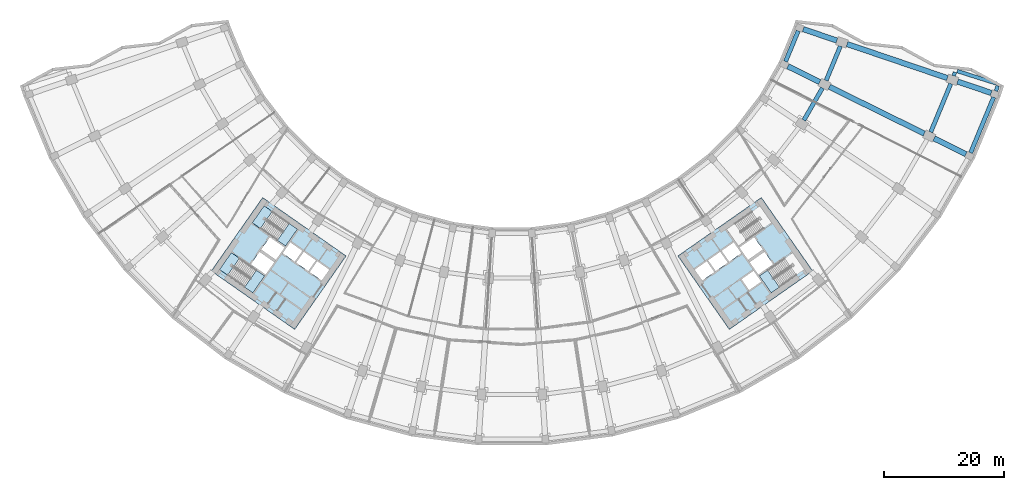
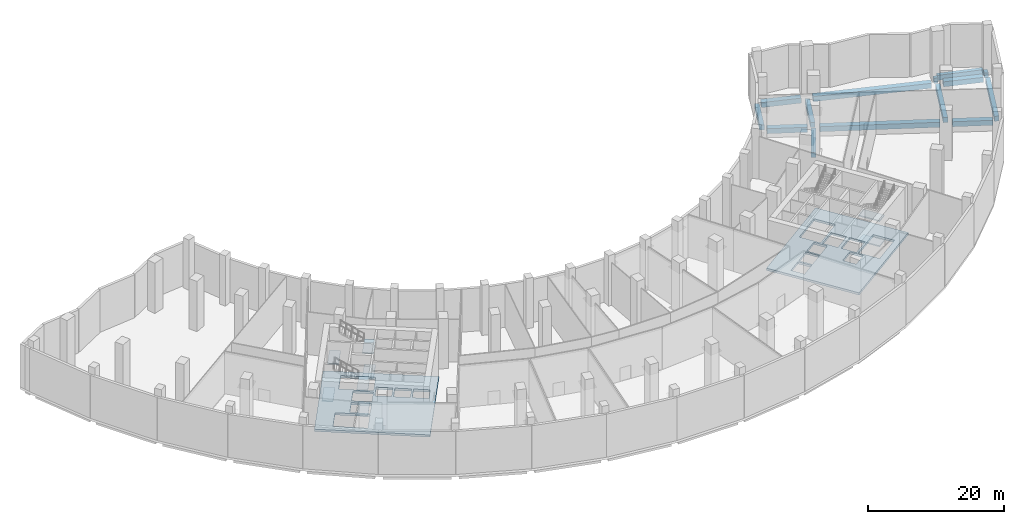
# One storey, part 3 of 17: 14 beams, 10 slabs, 3 elements without a shape of their own.
"""IFC4 building model written with IfcOpenShell, lengths in metres."""

from ifc_helpers import new_model, si_unit, direction, frame, origin, origin_2d, place, context, subcontext, project, spatial, polyline, rectangle, outline, extrude, material, layer, layer_set, material_profile, profile_set, type_object, element, aggregate, save


model = new_model("IFC4")

# Units and contexts
model_context = context("Model", 3, precision=1e-05, world=origin(), true_north=direction((0.0, 1.0)))
body_context = subcontext(model_context, "Body", "Model", "MODEL_VIEW")
ifc_project = project(units=[si_unit("LENGTHUNIT", "METRE"), si_unit("AREAUNIT", "SQUARE_METRE"), si_unit("VOLUMEUNIT", "CUBIC_METRE"), si_unit("PLANEANGLEUNIT", "RADIAN"), si_unit("MASSUNIT", "GRAM", prefix="KILO")], contexts=[model_context])

# Site, building, storey
site_placement = place(None, origin())
site = spatial("IfcSite", under=ifc_project, at=site_placement, CompositionType="ELEMENT")
building_placement = place(site_placement, origin())
building = spatial("IfcBuilding", under=site, at=building_placement, Name="Qamariyya Broadcast Tower", CompositionType="ELEMENT")
storey_placement = place(building_placement, frame((0.0, 0.0, 18.0)))
storey = spatial("IfcBuildingStorey", under=building, at=storey_placement, Name="L02", CompositionType="ELEMENT", Elevation=18.0)

# Beams
ifc_material_1 = material(Name="Concrete C50/60", Category="concrete")
ifc_material_profile_1 = material_profile(ifc_material_1, rectangle(XDim=0.699951171875, YDim=0.89990234375, at=origin_2d()))
ifc_profile_set_1 = profile_set([ifc_material_profile_1], Name="Concrete C50/60")
beam_type_1 = type_object("IfcBeamType", Name="RC edge beam 700 x 900 C50/60", PredefinedType="SPANDREL", material=ifc_profile_set_1)
beam_1_placement = place(storey_placement, frame((45.727294921875, -21.93701171875, -0.85009765625), z_axis=(0.382654292645, 0.92389160204, 0.0), x_axis=(-0.92389160204, 0.382654292645, 0.0)))
element("IfcBeam", 1, at=beam_1_placement, inside=storey, type_object=beam_type_1, Name="Edge beam B2 L02 A R19-R20", PredefinedType="SPANDREL", context=body_context, shape_type="SweptSolid", body=[
    extrude(rectangle(XDim=0.699951171875, YDim=0.89990234375, at=origin_2d()), origin(), (0.0, 0.0, 1.0), 5.5361328125),
])
for number, where, z_axis, x_axis, name in (
    (2, (48.783935546875, -31.75439453125, -0.85009765625), (0.499995558535, 0.86602796805, 0.0), (-0.86602796805, 0.499995558535, 0.0), "Edge beam B2 L02 B R18-R19"),
    (3, (52.51123046875, -25.115234375, -0.85009765625), (0.38268477858, 0.92387897489, 0.0), (-0.92387897489, 0.38268477858, 0.0), "Edge beam B2 L02 B R19-R20"),
):
    element("IfcBeam", number, at=place(storey_placement, frame(where, z_axis=z_axis, x_axis=x_axis)), inside=storey, type_object=beam_type_1, Name=name, PredefinedType="SPANDREL", context=body_context, shape_type="SweptSolid", body=[
        extrude(rectangle(XDim=0.699951171875, YDim=0.89990234375, at=origin_2d()), origin(), (0.0, 0.0, 1.0), 6.21630859375),
    ])
beam_2_placement = place(storey_placement, frame((70.000244140625, -33.73974609375, -0.85009765625), z_axis=(0.38270841035, 0.923869185896, 0.0), x_axis=(-0.923869185896, 0.38270841035, 0.0)))
element("IfcBeam", 4, at=beam_2_placement, inside=storey, type_object=beam_type_1, Name="Edge beam B2 L02 C R19-R20", PredefinedType="SPANDREL", context=body_context, shape_type="SweptSolid", body=[
    extrude(rectangle(XDim=0.699951171875, YDim=0.89990234375, at=origin_2d()), origin(), (0.0, 0.0, 1.0), 8.76708984375),
])
beam_3_placement = place(storey_placement, frame((76.66943359375, -37.19580078125, -0.85009765625), z_axis=(0.382677229034, 0.923882101991, 0.0), x_axis=(-0.923882101991, 0.382677229034, 0.0)))
element("IfcBeam", 5, at=beam_3_placement, inside=storey, type_object=beam_type_1, Name="Edge beam B2 L02 D R19-R20", PredefinedType="SPANDREL", context=body_context, shape_type="SweptSolid", body=[
    extrude(rectangle(XDim=0.699951171875, YDim=0.89990234375, at=origin_2d()), origin(), (0.0, 0.0, 1.0), 10.048828125),
])
ifc_material_profile_2 = material_profile(ifc_material_1, rectangle(XDim=0.60009765625, YDim=0.89990234375, at=origin_2d()))
ifc_profile_set_2 = profile_set([ifc_material_profile_2], Name="Concrete C50/60")
beam_type_2 = type_object("IfcBeamType", Name="RC horn beam 600 x 900 C50/60", PredefinedType="BEAM", material=ifc_profile_set_2)
beam_4_placement = place(storey_placement, frame((73.841796875, -24.32666015625, -0.85009765625), z_axis=(0.311677221784, 0.95018803898, 0.0), x_axis=(-0.95018803898, 0.311677221784, 0.0)))
element("IfcBeam", 6, at=beam_4_placement, inside=storey, type_object=beam_type_2, Name="Horn beam B3 L02 E C-R20", PredefinedType="BEAM", context=body_context, shape_type="SweptSolid", body=[
    extrude(rectangle(XDim=0.60009765625, YDim=0.89990234375, at=origin_2d()), origin(), (0.0, 0.0, 1.0), 0.628173828125),
])
beam_5_placement = place(storey_placement, frame((80.897216796875, -26.880126953125, -0.85009765625), z_axis=(0.31136908678, 0.95028905697, 0.0), x_axis=(-0.95028905697, 0.31136908678, 0.0)))
element("IfcBeam", 7, at=beam_5_placement, inside=storey, type_object=beam_type_2, Name="Horn beam B3 L02 E D-R20", PredefinedType="BEAM", context=body_context, shape_type="SweptSolid", body=[
    extrude(rectangle(XDim=0.60009765625, YDim=0.89990234375, at=origin_2d()), origin(), (0.0, 0.0, 1.0), 0.935302734375),
])
ifc_material_profile_3 = material_profile(ifc_material_1, rectangle(XDim=0.60009765625, YDim=0.89990234375, at=origin_2d()))
ifc_profile_set_3 = profile_set([ifc_material_profile_3], Name="Concrete C50/60")
beam_type_3 = type_object("IfcBeamType", Name="RC horn cap beam 600 x 900 C50/60", PredefinedType="BEAM", material=ifc_profile_set_3)
beam_6_placement = place(storey_placement, frame((74.4169921875, -23.53515625, -0.85009765625), z_axis=(0.953456380288, -0.301530978321, 0.0), x_axis=(0.301530978321, 0.953456380288, 0.0)))
element("IfcBeam", 8, at=beam_6_placement, inside=storey, type_object=beam_type_3, Name="Horn cap beam B4 L02 E C-D", PredefinedType="BEAM", context=body_context, shape_type="SweptSolid", body=[
    extrude(rectangle(XDim=0.60009765625, YDim=0.89990234375, at=origin_2d()), origin(), (0.0, 0.0, 1.0), 6.89990234375),
])
ifc_material_profile_4 = material_profile(ifc_material_1, rectangle(XDim=0.89990234375, YDim=0.89990234375, at=origin_2d()))
ifc_profile_set_4 = profile_set([ifc_material_profile_4], Name="Concrete C50/60")
beam_type_4 = type_object("IfcBeamType", Name="RC radial beam 900 x 900 C50/60", PredefinedType="BEAM", material=ifc_profile_set_4)
beam_7_placement = place(storey_placement, frame((46.099365234375, -22.733642578125, -0.85009765625), z_axis=(0.896867525941, -0.442299266236, 0.0), x_axis=(0.442299266236, 0.896867525941, 0.0)))
element("IfcBeam", 9, at=beam_7_placement, inside=storey, type_object=beam_type_4, Name="Radial beam B1 L02 R19 A-B", PredefinedType="BEAM", context=body_context, shape_type="SweptSolid", body=[
    extrude(rectangle(XDim=0.89990234375, YDim=0.89990234375, at=origin_2d()), origin(), (0.0, 0.0, 1.0), 5.94970703125),
])
beam_8_placement = place(storey_placement, frame((53.050048828125, -26.161376953125, -0.85009765625), z_axis=(0.896868921808, -0.442296435771, 0.0), x_axis=(0.442296435771, 0.896868921808, 0.0)))
element("IfcBeam", 10, at=beam_8_placement, inside=storey, type_object=beam_type_4, Name="Radial beam B1 L02 R19 B-C", PredefinedType="BEAM", context=body_context, shape_type="SweptSolid", body=[
    extrude(rectangle(XDim=0.89990234375, YDim=0.89990234375, at=origin_2d()), origin(), (0.0, 0.0, 1.0), 17.699951171875),
])
beam_9_placement = place(storey_placement, frame((70.5390625, -34.785888671875, -0.85009765625), z_axis=(0.896859276255, -0.442315994054, 0.0), x_axis=(0.442315994054, 0.896859276255, 0.0)))
element("IfcBeam", 11, at=beam_9_placement, inside=storey, type_object=beam_type_4, Name="Radial beam B1 L02 R19 C-D", PredefinedType="BEAM", context=body_context, shape_type="SweptSolid", body=[
    extrude(rectangle(XDim=0.89990234375, YDim=0.89990234375, at=origin_2d()), origin(), (0.0, 0.0, 1.0), 5.9501953125),
])
beam_10_placement = place(storey_placement, frame((48.672119140625, -16.52197265625, -0.85009765625), z_axis=(0.946929197619, -0.32144221051, 0.0), x_axis=(0.32144221051, 0.946929197619, 0.0)))
element("IfcBeam", 12, at=beam_10_placement, inside=storey, type_object=beam_type_4, Name="Radial beam B1 L02 R20 A-B", PredefinedType="BEAM", context=body_context, shape_type="SweptSolid", body=[
    extrude(rectangle(XDim=0.89990234375, YDim=0.89990234375, at=origin_2d()), origin(), (0.0, 0.0, 1.0), 5.949951171875),
])
beam_11_placement = place(storey_placement, frame((56.010986328125, -19.01318359375, -0.85009765625), z_axis=(0.946929601856, -0.321441019674, 0.0), x_axis=(0.321441019674, 0.946929601856, 0.0)))
element("IfcBeam", 13, at=beam_11_placement, inside=storey, type_object=beam_type_4, Name="Radial beam B1 L02 R20 B-C", PredefinedType="BEAM", context=body_context, shape_type="SweptSolid", body=[
    extrude(rectangle(XDim=0.89990234375, YDim=0.89990234375, at=origin_2d()), origin(), (0.0, 0.0, 1.0), 17.699951171875),
])
beam_12_placement = place(storey_placement, frame((74.47607421875, -25.28125, -0.85009765625), z_axis=(0.946929197619, -0.32144221051, 0.0), x_axis=(0.32144221051, 0.946929197619, 0.0)))
element("IfcBeam", 14, at=beam_12_placement, inside=storey, type_object=beam_type_4, Name="Radial beam B1 L02 R20 C-D", PredefinedType="BEAM", context=body_context, shape_type="SweptSolid", body=[
    extrude(rectangle(XDim=0.89990234375, YDim=0.89990234375, at=origin_2d()), origin(), (0.0, 0.0, 1.0), 5.949951171875),
])

# Slabs
ifc_material_2 = material(Name="Concrete C40/50", Category="concrete")
ifc_layer_1 = layer(ifc_material_2, 0.39990234375)
ifc_layer_set_1 = layer_set([ifc_layer_1], Name="Core floor slab 400 mm Concrete C40/50")
slab_type_1 = type_object("IfcSlabType", Name="Core floor slab 400 mm Concrete C40/50", PredefinedType="FLOOR", material=ifc_layer_set_1)
slab_1_placement = place(storey_placement, frame((0.0, 0.0, -0.39990234375)))
element("IfcSlab", 15, at=slab_1_placement, inside=storey, type_object=slab_type_1, Name="k-W-L02-slab", PredefinedType="FLOOR", context=body_context, shape_type="SweptSolid", body=[
    extrude(outline(polyline([(-50.286376953125, -56.95751953125), (-36.32373046875, -66.734375), (-27.719970703125, -54.447021484375), (-41.6826171875, -44.67041015625), (-50.286376953125, -56.95751953125)]), holes=[polyline([(-31.80859375, -58.542724609375), (-33.8154296875, -57.137451171875), (-32.5537109375, -55.335205078125), (-30.546630859375, -56.740478515625), (-31.80859375, -58.542724609375)]), polyline([(-34.061279296875, -56.96533203125), (-36.068115234375, -55.56005859375), (-34.806396484375, -53.758056640625), (-32.79931640625, -55.163330078125), (-34.061279296875, -56.96533203125)]), polyline([(-36.31396484375, -55.387939453125), (-38.32080078125, -53.982666015625), (-37.058837890625, -52.1806640625), (-35.052001953125, -53.5859375), (-36.31396484375, -55.387939453125)]), polyline([(-39.742431640625, -55.489990234375), (-42.199951171875, -53.769287109375), (-43.6337890625, -55.817138671875), (-41.17626953125, -57.537841796875), (-39.742431640625, -55.489990234375)]), polyline([(-39.45556640625, -55.080322265625), (-41.9130859375, -53.359619140625), (-40.47900390625, -51.311767578125), (-38.021728515625, -53.032470703125), (-39.45556640625, -55.080322265625)]), polyline([(-42.06103515625, -49.837890625), (-37.849609375, -52.78662109375), (-35.870849609375, -49.960693359375), (-40.082275390625, -47.01171875), (-42.06103515625, -49.837890625)]), polyline([(-47.538818359375, -57.66064453125), (-43.3271484375, -60.609619140625), (-41.348388671875, -57.783447265625), (-45.559814453125, -54.834716796875), (-47.538818359375, -57.66064453125)])]), origin(), (0.0, 0.0, 1.0), 0.39990234375),
])
slab_2_placement = place(storey_placement, frame((0.0, 0.0, -0.39990234375)))
element("IfcSlab", 16, at=slab_2_placement, inside=storey, type_object=slab_type_1, Name="k-E-L02-slab", PredefinedType="FLOOR", context=body_context, shape_type="SweptSolid", body=[
    extrude(outline(polyline([(36.32373046875, -66.734375), (50.286376953125, -56.95751953125), (41.6826171875, -44.67041015625), (27.719970703125, -54.447021484375), (36.32373046875, -66.734375)]), holes=[polyline([(31.80859375, -58.542724609375), (33.8154296875, -57.137451171875), (32.5537109375, -55.335205078125), (30.546630859375, -56.740478515625), (31.80859375, -58.542724609375)]), polyline([(34.061279296875, -56.96533203125), (36.068115234375, -55.56005859375), (34.806396484375, -53.758056640625), (32.79931640625, -55.163330078125), (34.061279296875, -56.96533203125)]), polyline([(36.31396484375, -55.387939453125), (38.32080078125, -53.982666015625), (37.058837890625, -52.1806640625), (35.052001953125, -53.5859375), (36.31396484375, -55.387939453125)]), polyline([(38.378662109375, -58.3369140625), (40.3857421875, -56.931640625), (41.6474609375, -58.73388671875), (39.640625, -60.13916015625), (38.378662109375, -58.3369140625)]), polyline([(39.742431640625, -55.489990234375), (42.199951171875, -53.769287109375), (43.6337890625, -55.817138671875), (41.17626953125, -57.537841796875), (39.742431640625, -55.489990234375)]), polyline([(39.45556640625, -55.080322265625), (41.9130859375, -53.359619140625), (40.47900390625, -51.311767578125), (38.021728515625, -53.032470703125), (39.45556640625, -55.080322265625)]), polyline([(40.082275390625, -47.01171875), (35.870849609375, -49.960693359375), (37.849609375, -52.78662109375), (42.06103515625, -49.837890625), (40.082275390625, -47.01171875)]), polyline([(45.559814453125, -54.834716796875), (41.348388671875, -57.783447265625), (43.3271484375, -60.609619140625), (47.538818359375, -57.66064453125), (45.559814453125, -54.834716796875)])]), origin(), (0.0, 0.0, 1.0), 0.39990234375),
])

# Stair, slabs
stair_type = type_object("IfcStairType", Name="Exit stair 52 risers of 173 mm", PredefinedType="HALF_TURN_STAIR", material=ifc_material_1)
stair_1_placement = place(storey_placement, origin())
stair_1 = element("IfcStair", 17, at=stair_1_placement, inside=storey, type_object=stair_type, Name="L02 Stair W2", PredefinedType="HALF_TURN_STAIR")
ifc_layer_2 = layer(ifc_material_1, 0.199951171875)
ifc_layer_set_2 = layer_set([ifc_layer_2], Name="Stair landing")
slab_type_2 = type_object("IfcSlabType", Name="Stair landing", PredefinedType="LANDING", material=ifc_layer_set_2)
slab_3_placement = place(storey_placement, frame((0.0, 0.0, 2.050048828125)))
slab_3 = element("IfcSlab", 18, at=slab_3_placement, type_object=slab_type_2, Name="ST-W2 landing 1", PredefinedType="LANDING", context=body_context, shape_type="SweptSolid", body=[
    extrude(outline(polyline([(-39.217041015625, -51.829345703125), (-37.849609375, -52.78662109375), (-35.870849609375, -49.960693359375), (-37.23828125, -49.003173828125), (-39.217041015625, -51.829345703125)])), origin(), (0.0, 0.0, 1.0), 0.199951171875),
])
slab_4_placement = place(storey_placement, frame((0.0, 0.0, 4.300048828125)))
slab_4 = element("IfcSlab", 19, at=slab_4_placement, type_object=slab_type_2, Name="ST-W2 landing 2", PredefinedType="LANDING", context=body_context, shape_type="SweptSolid", body=[
    extrude(outline(polyline([(-43.416015625, -48.88916015625), (-42.06103515625, -49.837890625), (-40.082275390625, -47.01171875), (-41.437255859375, -46.06298828125), (-43.416015625, -48.88916015625)])), origin(), (0.0, 0.0, 1.0), 0.199951171875),
])
slab_5_placement = place(storey_placement, frame((0.0, 0.0, 6.550048828125)))
slab_5 = element("IfcSlab", 20, at=slab_5_placement, type_object=slab_type_2, Name="ST-W2 landing 3", PredefinedType="LANDING", context=body_context, shape_type="SweptSolid", body=[
    extrude(outline(polyline([(-39.217041015625, -51.829345703125), (-37.849609375, -52.78662109375), (-35.870849609375, -49.960693359375), (-37.23828125, -49.003173828125), (-39.217041015625, -51.829345703125)])), origin(), (0.0, 0.0, 1.0), 0.199951171875),
])
aggregate(stair_1, [slab_3, slab_4, slab_5])

stair_2_placement = place(storey_placement, origin())
stair_2 = element("IfcStair", 21, at=stair_2_placement, inside=storey, type_object=stair_type, Name="L02 Stair W1", PredefinedType="HALF_TURN_STAIR")
slab_6_placement = place(storey_placement, frame((0.0, 0.0, 2.050048828125)))
slab_6 = element("IfcSlab", 22, at=slab_6_placement, type_object=slab_type_2, Name="ST-W1 landing 1", PredefinedType="LANDING", context=body_context, shape_type="SweptSolid", body=[
    extrude(outline(polyline([(-44.694580078125, -59.652099609375), (-43.3271484375, -60.609619140625), (-41.348388671875, -57.783447265625), (-42.7158203125, -56.826171875), (-44.694580078125, -59.652099609375)])), origin(), (0.0, 0.0, 1.0), 0.199951171875),
])
slab_7_placement = place(storey_placement, frame((0.0, 0.0, 4.300048828125)))
slab_7 = element("IfcSlab", 23, at=slab_7_placement, type_object=slab_type_2, Name="ST-W1 landing 2", PredefinedType="LANDING", context=body_context, shape_type="SweptSolid", body=[
    extrude(outline(polyline([(-48.8935546875, -56.7119140625), (-47.538818359375, -57.66064453125), (-45.559814453125, -54.834716796875), (-46.914794921875, -53.885986328125), (-48.8935546875, -56.7119140625)])), origin(), (0.0, 0.0, 1.0), 0.199951171875),
])
slab_8_placement = place(storey_placement, frame((0.0, 0.0, 6.550048828125)))
slab_8 = element("IfcSlab", 24, at=slab_8_placement, type_object=slab_type_2, Name="ST-W1 landing 3", PredefinedType="LANDING", context=body_context, shape_type="SweptSolid", body=[
    extrude(outline(polyline([(-44.694580078125, -59.652099609375), (-43.3271484375, -60.609619140625), (-41.348388671875, -57.783447265625), (-42.7158203125, -56.826171875), (-44.694580078125, -59.652099609375)])), origin(), (0.0, 0.0, 1.0), 0.199951171875),
])
aggregate(stair_2, [slab_6, slab_7, slab_8])

stair_3_placement = place(storey_placement, origin())
stair_3 = element("IfcStair", 25, at=stair_3_placement, inside=storey, type_object=stair_type, Name="L02 Stair E1", PredefinedType="HALF_TURN_STAIR")
slab_9_placement = place(storey_placement, frame((0.0, 0.0, 2.050048828125)))
slab_9 = element("IfcSlab", 26, at=slab_9_placement, type_object=slab_type_2, Name="ST-E1 landing 1", PredefinedType="LANDING", context=body_context, shape_type="SweptSolid", body=[
    extrude(outline(polyline([(42.7158203125, -56.826171875), (41.348388671875, -57.783447265625), (43.3271484375, -60.609619140625), (44.694580078125, -59.652099609375), (42.7158203125, -56.826171875)])), origin(), (0.0, 0.0, 1.0), 0.199951171875),
])
slab_10_placement = place(storey_placement, frame((0.0, 0.0, 6.550048828125)))
slab_10 = element("IfcSlab", 27, at=slab_10_placement, type_object=slab_type_2, Name="ST-E1 landing 3", PredefinedType="LANDING", context=body_context, shape_type="SweptSolid", body=[
    extrude(outline(polyline([(42.7158203125, -56.826171875), (41.348388671875, -57.783447265625), (43.3271484375, -60.609619140625), (44.694580078125, -59.652099609375), (42.7158203125, -56.826171875)])), origin(), (0.0, 0.0, 1.0), 0.199951171875),
])
aggregate(stair_3, [slab_9, slab_10])

save(model, "model.ifc")
